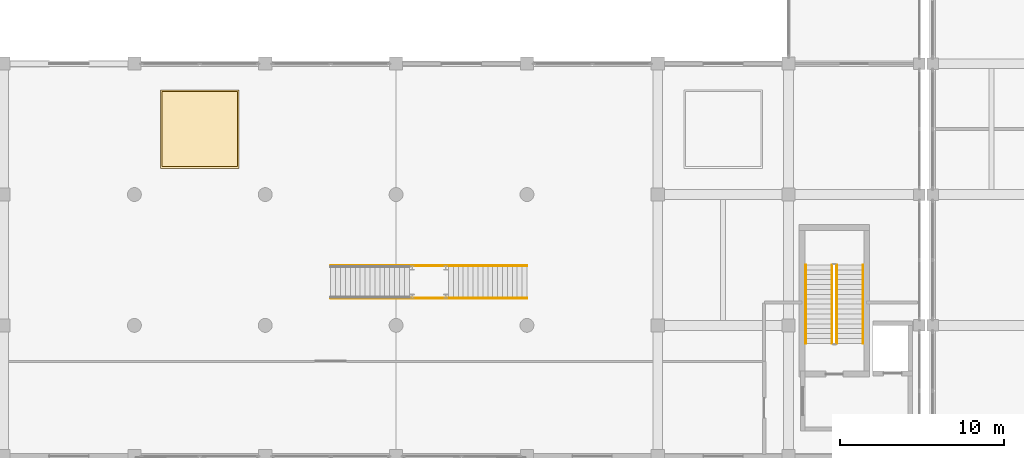
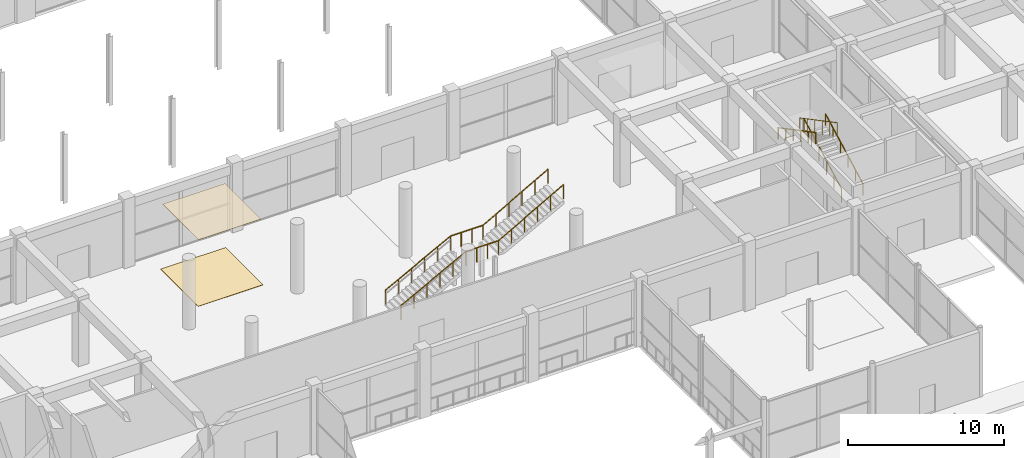
# One storey, part 72 of 86: 6 railings, 2 coverings.
"""IFC4 building model written with IfcOpenShell, lengths in metres."""

from ifc_helpers import new_model, si_unit, direction, frame, origin, origin_2d, place, context, subcontext, project, spatial, rectangle, circle, extrude, material, layer, layer_set, type_object, element, save


model = new_model("IFC4")

# Units and contexts
model_context = context("Model", 3, precision=1e-05, world=origin(), true_north=direction((0.0, 1.0)))
body_context = subcontext(model_context, "Body", "Model", "MODEL_VIEW")
ifc_project = project(units=[si_unit("LENGTHUNIT", "METRE"), si_unit("AREAUNIT", "SQUARE_METRE"), si_unit("VOLUMEUNIT", "CUBIC_METRE"), si_unit("PLANEANGLEUNIT", "RADIAN"), si_unit("MASSUNIT", "GRAM", prefix="KILO")], contexts=[model_context])

# Site, building, storey
site_placement = place(None, origin())
site = spatial("IfcSite", under=ifc_project, at=site_placement, CompositionType="ELEMENT")
building_placement = place(site_placement, origin())
building = spatial("IfcBuilding", under=site, at=building_placement, Name="Kenh Van Central Station", CompositionType="ELEMENT")
storey_placement = place(building_placement, origin())
storey = spatial("IfcBuildingStorey", under=building, at=storey_placement, Name="L00", CompositionType="ELEMENT", Elevation=0.0)

# Coverings
ifc_material_1 = material(Name="Perforated acoustic mineral ceiling board")
ifc_layer_1 = layer(ifc_material_1, 0.02490234375, Name="Perforated acoustic mineral ceiling board")
ifc_layer_set_1 = layer_set([ifc_layer_1], Name="Perforated acoustic mineral ceiling board")
covering_type_1 = type_object("IfcCoveringType", Name="COV-CEIL-ACOUST", PredefinedType="CEILING", material=ifc_layer_set_1)
covering_1_placement = place(storey_placement, frame((76.0, 36.0, 5.09716796875), z_axis=(0.0, 0.0, 1.0), x_axis=(1.0, 0.0, 0.0)))
element("IfcCovering", 1, at=covering_1_placement, inside=storey, type_object=covering_type_1, Name="L00 acoustic ceiling panel 017", PredefinedType="CEILING", context=body_context, shape_type="SweptSolid", body=[
    extrude(rectangle(XDim=4.60009765625, YDim=4.60009765625, at=origin_2d()), origin(), (0.0, 0.0, 1.0), 0.02490234375),
])
ifc_material_2 = material(Name="Polished station granite terrazzo", Category="masonry")
ifc_layer_2 = layer(ifc_material_2, 0.02001953125, Name="Polished station granite terrazzo")
ifc_layer_set_2 = layer_set([ifc_layer_2], Name="Polished station granite terrazzo")
covering_type_2 = type_object("IfcCoveringType", Name="COV-FLR-GRANITE", PredefinedType="FLOORING", material=ifc_layer_set_2)
covering_2_placement = place(storey_placement, frame((76.0, 36.0, 0.0), z_axis=(0.0, 0.0, 1.0), x_axis=(1.0, 0.0, 0.0)))
element("IfcCovering", 2, at=covering_2_placement, inside=storey, type_object=covering_type_2, Name="L00 granite floor finish 021", PredefinedType="FLOORING", context=body_context, shape_type="SweptSolid", body=[
    extrude(rectangle(XDim=4.800048828125, YDim=4.800048828125, at=origin_2d()), origin(), (0.0, 0.0, 1.0), 0.02001953125),
])

# Railings
ifc_material_3 = material(Name="Champagne anodised aluminium", Category="aluminium")
railing_type_1 = type_object("IfcRailingType", Name="RAIL-CORE-GRD110", PredefinedType="GUARDRAIL", material=ifc_material_3)
railing_1_placement = place(storey_placement, frame((114.949951171875, 22.89990234375, 0.158935546875)))
element("IfcRailing", 3, at=railing_1_placement, inside=storey, type_object=railing_type_1, Name="L00 ST-04 stair guard 1", PredefinedType="GUARDRAIL", context=body_context, shape_type="SweptSolid", body=[
    extrude(circle(Radius=0.02392578125, at=origin_2d()), frame((0.0, 0.0, 1.076171875), z_axis=(0.0, 0.883802130504, 0.467860870469), x_axis=(-1.0, 0.0, 0.0)), (0.0, 0.0, 1.0), 5.43115234375),
    extrude(circle(Radius=0.02099609375, at=origin_2d()), origin(), (0.0, 0.0, 1.0), 1.052001953125),
    extrude(circle(Radius=0.02099609375, at=origin_2d()), frame((0.0, 0.9599609375, 0.50830078125)), (0.0, 0.0, 1.0), 1.052001953125),
    extrude(circle(Radius=0.02099609375, at=origin_2d()), frame((0.0, 1.919921875, 1.016357421875)), (0.0, 0.0, 1.0), 1.052001953125),
    extrude(circle(Radius=0.02099609375, at=origin_2d()), frame((0.0, 2.880126953125, 1.524658203125)), (0.0, 0.0, 1.0), 1.052001953125),
    extrude(circle(Radius=0.02099609375, at=origin_2d()), frame((0.0, 3.840087890625, 2.03271484375)), (0.0, 0.0, 1.0), 1.052001953125),
    extrude(circle(Radius=0.02099609375, at=origin_2d()), frame((0.0, 4.800048828125, 2.541015625)), (0.0, 0.0, 1.0), 1.052001953125),
])
railing_2_placement = place(storey_placement, frame((114.64990234375, 27.699951171875, 2.85888671875)))
element("IfcRailing", 4, at=railing_2_placement, inside=storey, type_object=railing_type_1, Name="L00 ST-04 stair guard 3", PredefinedType="GUARDRAIL", context=body_context, shape_type="SweptSolid", body=[
    extrude(circle(Radius=0.02392578125, at=origin_2d()), frame((0.0, 0.0, 1.076171875), z_axis=(0.0, -0.883802130504, 0.467860870469), x_axis=(1.0, 0.0, 0.0)), (0.0, 0.0, 1.0), 5.43115234375),
    extrude(circle(Radius=0.02099609375, at=origin_2d()), origin(), (0.0, 0.0, 1.0), 1.052001953125),
    extrude(circle(Radius=0.02099609375, at=origin_2d()), frame((0.0, -0.9599609375, 0.50830078125)), (0.0, 0.0, 1.0), 1.052001953125),
    extrude(circle(Radius=0.02099609375, at=origin_2d()), frame((0.0, -1.919921875, 1.016357421875)), (0.0, 0.0, 1.0), 1.052001953125),
    extrude(circle(Radius=0.02099609375, at=origin_2d()), frame((0.0, -2.880126953125, 1.524658203125)), (0.0, 0.0, 1.0), 1.052001953125),
    extrude(circle(Radius=0.02099609375, at=origin_2d()), frame((0.0, -3.840087890625, 2.03271484375)), (0.0, 0.0, 1.0), 1.052001953125),
    extrude(circle(Radius=0.02099609375, at=origin_2d()), frame((0.0, -4.800048828125, 2.541015625)), (0.0, 0.0, 1.0), 1.052001953125),
])
railing_type_2 = type_object("IfcRailingType", Name="RAIL-CORE-HND90", PredefinedType="HANDRAIL", material=ifc_material_3)
railing_3_placement = place(storey_placement, frame((116.550048828125, 22.89990234375, 0.158935546875)))
element("IfcRailing", 5, at=railing_3_placement, inside=storey, type_object=railing_type_2, Name="L00 ST-04 stair handrail 1", PredefinedType="HANDRAIL", context=body_context, shape_type="SweptSolid", body=[
    extrude(circle(Radius=0.02392578125, at=origin_2d()), frame((0.0, 0.0, 0.8759765625), z_axis=(0.0, 0.883802130504, 0.467860870469), x_axis=(-1.0, 0.0, 0.0)), (0.0, 0.0, 1.0), 5.43115234375),
    extrude(circle(Radius=0.02099609375, at=origin_2d()), origin(), (0.0, 0.0, 1.0), 0.851806640625),
    extrude(circle(Radius=0.02099609375, at=origin_2d()), frame((0.0, 0.9599609375, 0.50830078125)), (0.0, 0.0, 1.0), 0.851806640625),
    extrude(circle(Radius=0.02099609375, at=origin_2d()), frame((0.0, 1.919921875, 1.016357421875)), (0.0, 0.0, 1.0), 0.851806640625),
    extrude(circle(Radius=0.02099609375, at=origin_2d()), frame((0.0, 2.880126953125, 1.524658203125)), (0.0, 0.0, 1.0), 0.851806640625),
    extrude(circle(Radius=0.02099609375, at=origin_2d()), frame((0.0, 3.840087890625, 2.03271484375)), (0.0, 0.0, 1.0), 0.851806640625),
    extrude(circle(Radius=0.02099609375, at=origin_2d()), frame((0.0, 4.800048828125, 2.541015625)), (0.0, 0.0, 1.0), 0.851806640625),
])
railing_4_placement = place(storey_placement, frame((113.050048828125, 27.699951171875, 2.85888671875)))
element("IfcRailing", 6, at=railing_4_placement, inside=storey, type_object=railing_type_2, Name="L00 ST-04 stair handrail 2", PredefinedType="HANDRAIL", context=body_context, shape_type="SweptSolid", body=[
    extrude(circle(Radius=0.02392578125, at=origin_2d()), frame((0.0, 0.0, 0.8759765625), z_axis=(0.0, -0.883802130504, 0.467860870469), x_axis=(1.0, 0.0, 0.0)), (0.0, 0.0, 1.0), 5.43115234375),
    extrude(circle(Radius=0.02099609375, at=origin_2d()), origin(), (0.0, 0.0, 1.0), 0.851806640625),
    extrude(circle(Radius=0.02099609375, at=origin_2d()), frame((0.0, -0.9599609375, 0.50830078125)), (0.0, 0.0, 1.0), 0.851806640625),
    extrude(circle(Radius=0.02099609375, at=origin_2d()), frame((0.0, -1.919921875, 1.016357421875)), (0.0, 0.0, 1.0), 0.851806640625),
    extrude(circle(Radius=0.02099609375, at=origin_2d()), frame((0.0, -2.880126953125, 1.524658203125)), (0.0, 0.0, 1.0), 0.851806640625),
    extrude(circle(Radius=0.02099609375, at=origin_2d()), frame((0.0, -3.840087890625, 2.03271484375)), (0.0, 0.0, 1.0), 0.851806640625),
    extrude(circle(Radius=0.02099609375, at=origin_2d()), frame((0.0, -4.800048828125, 2.541015625)), (0.0, 0.0, 1.0), 0.851806640625),
])
railing_type_3 = type_object("IfcRailingType", Name="RAIL-PUB-BAL112", PredefinedType="BALUSTRADE", material=ifc_material_3)
railing_5_placement = place(storey_placement, frame((84.0048828125, 25.659912109375, 0.158935546875)))
element("IfcRailing", 7, at=railing_5_placement, inside=storey, type_object=railing_type_3, Name="Ticket Hall Atrium Concourse Stair balustrade 1", PredefinedType="BALUSTRADE", context=body_context, shape_type="SweptSolid", body=[
    extrude(circle(Radius=0.02392578125, at=origin_2d()), frame((0.0, 0.0, 1.09619140625), z_axis=(0.883802130504, 0.0, 0.467860870469), x_axis=(0.0, 1.0, 0.0)), (0.0, 0.0, 1.0), 5.43115234375),
    extrude(circle(Radius=0.02392578125, at=origin_2d()), frame((4.800048828125, 0.0, 3.63720703125), z_axis=(1.0, 0.0, 0.0), x_axis=(0.0, 1.0, 0.0)), (0.0, 0.0, 1.0), 2.400146484375),
    extrude(circle(Radius=0.02392578125, at=origin_2d()), frame((7.2001953125, 0.0, 3.63720703125), z_axis=(0.871570801301, 0.0, 0.490269658779), x_axis=(0.0, 1.0, 0.0)), (0.0, 0.0, 1.0), 5.507080078125),
    extrude(circle(Radius=0.02099609375, at=origin_2d()), origin(), (0.0, 0.0, 1.0), 1.072021484375),
    extrude(circle(Radius=0.02099609375, at=origin_2d()), frame((0.9599609375, 0.0, 0.50830078125)), (0.0, 0.0, 1.0), 1.072021484375),
    extrude(circle(Radius=0.02099609375, at=origin_2d()), frame((1.919921875, 0.0, 1.016357421875)), (0.0, 0.0, 1.0), 1.072021484375),
    extrude(circle(Radius=0.02099609375, at=origin_2d()), frame((2.880126953125, 0.0, 1.524658203125)), (0.0, 0.0, 1.0), 1.072021484375),
    extrude(circle(Radius=0.02099609375, at=origin_2d()), frame((3.840087890625, 0.0, 2.03271484375)), (0.0, 0.0, 1.0), 1.072021484375),
    extrude(circle(Radius=0.02099609375, at=origin_2d()), frame((4.800048828125, 0.0, 2.541015625)), (0.0, 0.0, 1.0), 1.072021484375),
    extrude(circle(Radius=0.02099609375, at=origin_2d()), frame((5.60009765625, 0.0, 2.541015625)), (0.0, 0.0, 1.0), 1.072021484375),
    extrude(circle(Radius=0.02099609375, at=origin_2d()), frame((6.400146484375, 0.0, 2.541015625)), (0.0, 0.0, 1.0), 1.072021484375),
    extrude(circle(Radius=0.02099609375, at=origin_2d()), frame((7.2001953125, 0.0, 2.541015625)), (0.0, 0.0, 1.0), 1.072021484375),
    extrude(circle(Radius=0.02099609375, at=origin_2d()), frame((8.16015625, 0.0, 3.0810546875)), (0.0, 0.0, 1.0), 1.072021484375),
    extrude(circle(Radius=0.02099609375, at=origin_2d()), frame((9.1201171875, 0.0, 3.62109375)), (0.0, 0.0, 1.0), 1.072021484375),
    extrude(circle(Radius=0.02099609375, at=origin_2d()), frame((10.080078125, 0.0, 4.160888671875)), (0.0, 0.0, 1.0), 1.072021484375),
    extrude(circle(Radius=0.02099609375, at=origin_2d()), frame((11.0400390625, 0.0, 4.700927734375)), (0.0, 0.0, 1.0), 1.072021484375),
    extrude(circle(Radius=0.02099609375, at=origin_2d()), frame((12.0, 0.0, 5.240966796875)), (0.0, 0.0, 1.0), 1.072021484375),
])
railing_6_placement = place(storey_placement, frame((84.0048828125, 27.639892578125, 0.158935546875)))
element("IfcRailing", 8, at=railing_6_placement, inside=storey, type_object=railing_type_3, Name="Ticket Hall Atrium Concourse Stair balustrade 2", PredefinedType="BALUSTRADE", context=body_context, shape_type="SweptSolid", body=[
    extrude(circle(Radius=0.02392578125, at=origin_2d()), frame((0.0, 0.0, 1.09619140625), z_axis=(0.883802130504, 0.0, 0.467860870469), x_axis=(0.0, 1.0, 0.0)), (0.0, 0.0, 1.0), 5.43115234375),
    extrude(circle(Radius=0.02392578125, at=origin_2d()), frame((4.800048828125, 0.0, 3.63720703125), z_axis=(1.0, 0.0, 0.0), x_axis=(0.0, 1.0, 0.0)), (0.0, 0.0, 1.0), 2.400146484375),
    extrude(circle(Radius=0.02392578125, at=origin_2d()), frame((7.2001953125, 0.0, 3.63720703125), z_axis=(0.871570801301, 0.0, 0.490269658779), x_axis=(0.0, 1.0, 0.0)), (0.0, 0.0, 1.0), 5.507080078125),
    extrude(circle(Radius=0.02099609375, at=origin_2d()), origin(), (0.0, 0.0, 1.0), 1.072021484375),
    extrude(circle(Radius=0.02099609375, at=origin_2d()), frame((0.9599609375, 0.0, 0.50830078125)), (0.0, 0.0, 1.0), 1.072021484375),
    extrude(circle(Radius=0.02099609375, at=origin_2d()), frame((1.919921875, 0.0, 1.016357421875)), (0.0, 0.0, 1.0), 1.072021484375),
    extrude(circle(Radius=0.02099609375, at=origin_2d()), frame((2.880126953125, 0.0, 1.524658203125)), (0.0, 0.0, 1.0), 1.072021484375),
    extrude(circle(Radius=0.02099609375, at=origin_2d()), frame((3.840087890625, 0.0, 2.03271484375)), (0.0, 0.0, 1.0), 1.072021484375),
    extrude(circle(Radius=0.02099609375, at=origin_2d()), frame((4.800048828125, 0.0, 2.541015625)), (0.0, 0.0, 1.0), 1.072021484375),
    extrude(circle(Radius=0.02099609375, at=origin_2d()), frame((5.60009765625, 0.0, 2.541015625)), (0.0, 0.0, 1.0), 1.072021484375),
    extrude(circle(Radius=0.02099609375, at=origin_2d()), frame((6.400146484375, 0.0, 2.541015625)), (0.0, 0.0, 1.0), 1.072021484375),
    extrude(circle(Radius=0.02099609375, at=origin_2d()), frame((7.2001953125, 0.0, 2.541015625)), (0.0, 0.0, 1.0), 1.072021484375),
    extrude(circle(Radius=0.02099609375, at=origin_2d()), frame((8.16015625, 0.0, 3.0810546875)), (0.0, 0.0, 1.0), 1.072021484375),
    extrude(circle(Radius=0.02099609375, at=origin_2d()), frame((9.1201171875, 0.0, 3.62109375)), (0.0, 0.0, 1.0), 1.072021484375),
    extrude(circle(Radius=0.02099609375, at=origin_2d()), frame((10.080078125, 0.0, 4.160888671875)), (0.0, 0.0, 1.0), 1.072021484375),
    extrude(circle(Radius=0.02099609375, at=origin_2d()), frame((11.0400390625, 0.0, 4.700927734375)), (0.0, 0.0, 1.0), 1.072021484375),
    extrude(circle(Radius=0.02099609375, at=origin_2d()), frame((12.0, 0.0, 5.240966796875)), (0.0, 0.0, 1.0), 1.072021484375),
])

save(model, "model.ifc")
